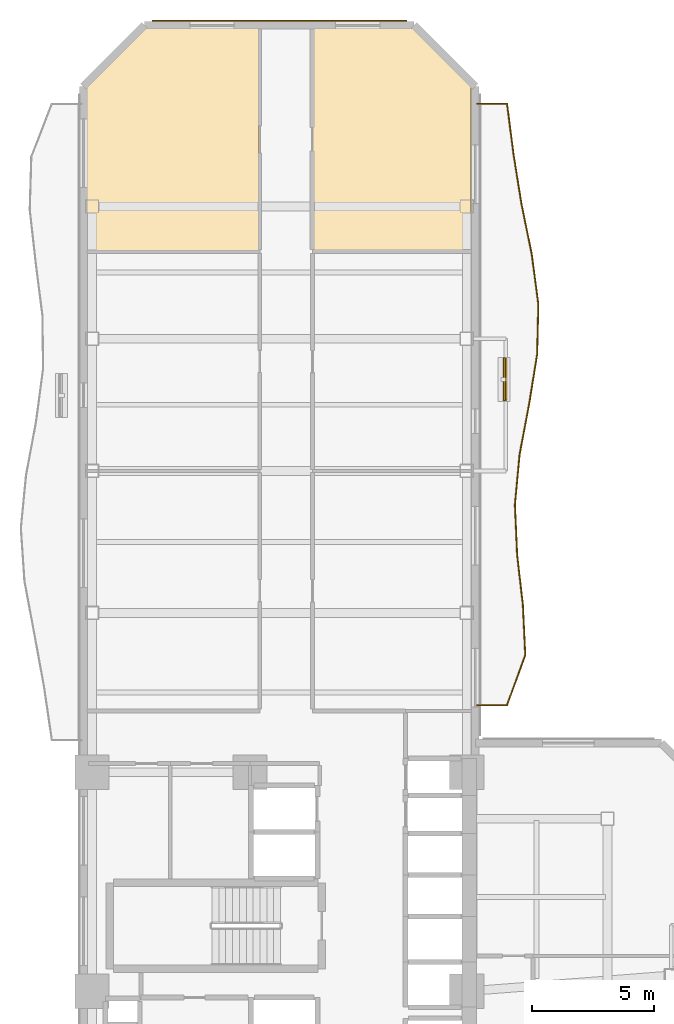
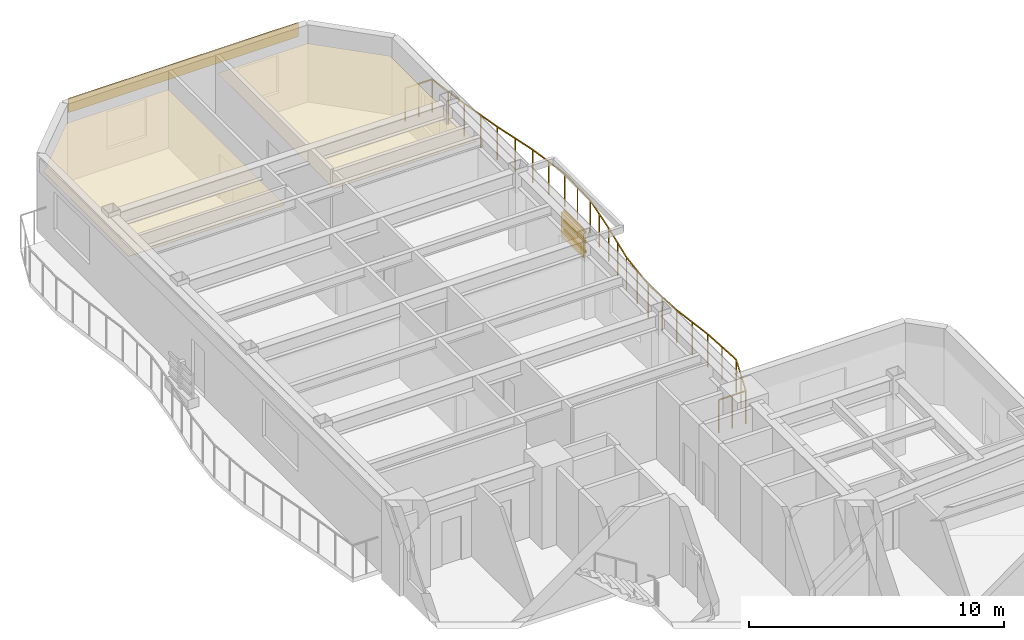
# One storey, part 17 of 17: 4 shading devices, 3 coverings, 1 railing.
"""IFC4 building model written with IfcOpenShell, lengths in metres."""

from ifc_helpers import new_model, si_unit, direction, frame, origin, origin_2d, place, context, subcontext, project, spatial, polyline, rectangle, outline, extrude, material, layer, layer_set, material_profile, profile_set, type_object, element, save


model = new_model("IFC4")

# Units and contexts
model_context = context("Model", 3, precision=1e-05, world=origin(), true_north=direction((0.0, 1.0)))
body_context = subcontext(model_context, "Body", "Model", "MODEL_VIEW")
ifc_project = project(units=[si_unit("LENGTHUNIT", "METRE"), si_unit("AREAUNIT", "SQUARE_METRE"), si_unit("VOLUMEUNIT", "CUBIC_METRE"), si_unit("PLANEANGLEUNIT", "RADIAN"), si_unit("MASSUNIT", "GRAM", prefix="KILO")], contexts=[model_context])

# Site, building, storey
site_placement = place(None, origin())
site = spatial("IfcSite", under=ifc_project, at=site_placement, CompositionType="ELEMENT")
building_placement = place(site_placement, origin())
building = spatial("IfcBuilding", under=site, at=building_placement, Name="Mawjaban Terraces University", CompositionType="ELEMENT")
storey_placement = place(building_placement, frame((0.0, 0.0, 85.60009765625)))
storey = spatial("IfcBuildingStorey", under=building, at=storey_placement, Name="L20", CompositionType="ELEMENT", Elevation=85.60009765625)

# Coverings
ifc_material_1 = material(Name="Acoustic mineral fibre ceiling tile", Category="masonry")
ifc_layer_1 = layer(ifc_material_1, 0.02001953125)
ifc_layer_set_1 = layer_set([ifc_layer_1], Name="Acoustic mineral fibre ceiling tile")
covering_type_1 = type_object("IfcCoveringType", Name="AcousticMineralCeiling_20", PredefinedType="CEILING", material=ifc_layer_set_1)
covering_1_placement = place(storey_placement, frame((0.0, 0.0, 2.75)))
element("IfcCovering", 1, at=covering_1_placement, inside=storey, type_object=covering_type_1, Name="L20 Teaching Laboratory 14 Acoustic Ceiling", PredefinedType="CEILING", context=body_context, shape_type="SweptSolid", body=[
    extrude(outline(polyline([(29.169921875, 53.885009765625), (24.547119140625, 53.885009765625), (22.114990234375, 51.452880859375), (22.114990234375, 44.7900390625), (29.169921875, 44.7900390625), (29.169921875, 53.885009765625)])), origin(), (0.0, 0.0, 1.0), 0.02001953125),
])
covering_2_placement = place(storey_placement, frame((0.0, 0.0, 2.75)))
element("IfcCovering", 2, at=covering_2_placement, inside=storey, type_object=covering_type_1, Name="L20 Design Studio 15 Acoustic Ceiling", PredefinedType="CEILING", context=body_context, shape_type="SweptSolid", body=[
    extrude(outline(polyline([(37.820068359375, 51.51806640625), (35.452880859375, 53.885009765625), (31.3798828125, 53.885009765625), (31.3798828125, 44.7900390625), (37.820068359375, 44.7900390625), (37.820068359375, 51.51806640625)])), origin(), (0.0, 0.0, 1.0), 0.02001953125),
])

# Railing
ifc_material_2 = material(Name="Galvanised powder-coated steel S355", Category="steel")
railing_type = type_object("IfcRailingType", Name="BalconyBalustrade_1600", PredefinedType="BALUSTRADE", material=ifc_material_2)
railing_placement = place(storey_placement, frame((38.080078125, 26.237060546875, 0.0)))
element("IfcRailing", 3, at=railing_placement, inside=storey, type_object=railing_type, Name="L20 Balcony Guardrail inner_east", PredefinedType="BALUSTRADE", context=body_context, shape_type="SweptSolid", body=[
    extrude(rectangle(XDim=0.048095703125, YDim=0.048095703125, at=origin_2d()), frame((0.0, 0.0, 1.576171875), z_axis=(1.0, 0.0, 0.0), x_axis=(0.0, 1.0, 0.0)), (0.0, 0.0, 1.0), 1.219970703125),
    extrude(rectangle(XDim=0.048095703125, YDim=0.048095703125, at=origin_2d()), frame((1.219970703125, 0.0, 1.576171875), z_axis=(0.341968039264, 0.939711583478, 0.0), x_axis=(-0.939711583478, 0.341968039264, 0.0)), (0.0, 0.0, 1.0), 2.17822265625),
    extrude(rectangle(XDim=0.048095703125, YDim=0.048095703125, at=origin_2d()), frame((1.96484375, 2.046875, 1.576171875), z_axis=(-0.047768899727, 0.998858414501, 0.0), x_axis=(-0.998858414501, -0.047768899727, 0.0)), (0.0, 0.0, 1.0), 2.049560546875),
    extrude(rectangle(XDim=0.048095703125, YDim=0.048095703125, at=origin_2d()), frame((1.866943359375, 4.093994140625, 1.576171875), z_axis=(-0.113643512159, 0.993521591182, 0.0), x_axis=(-0.993521591182, -0.113643512159, 0.0)), (0.0, 0.0, 1.0), 2.060302734375),
    extrude(rectangle(XDim=0.048095703125, YDim=0.048095703125, at=origin_2d()), frame((1.6328125, 6.140869140625, 1.576171875), z_axis=(-0.044321341141, 0.999017326536, 0.0), x_axis=(-0.999017326536, -0.044321341141, 0.0)), (0.0, 0.0, 1.0), 2.049072265625),
    extrude(rectangle(XDim=0.048095703125, YDim=0.048095703125, at=origin_2d()), frame((1.5419921875, 8.18798828125, 1.576171875), z_axis=(0.093340708693, 0.995634226059, 0.0), x_axis=(-0.995634226059, 0.093340708693, 0.0)), (0.0, 0.0, 1.0), 2.055908203125),
    extrude(rectangle(XDim=0.048095703125, YDim=0.048095703125, at=origin_2d()), frame((1.73388671875, 10.23486328125, 1.576171875), z_axis=(0.185371543551, 0.982668505062, 0.0), x_axis=(-0.982668505062, 0.185371543551, 0.0)), (0.0, 0.0, 1.0), 2.082275390625),
    extrude(rectangle(XDim=0.048095703125, YDim=0.048095703125, at=origin_2d()), frame((2.119873046875, 12.281005859375, 1.576171875), z_axis=(0.159202821223, 0.987245897289, 0.0), x_axis=(-0.987245897289, 0.159202821223, 0.0)), (0.0, 0.0, 1.0), 2.0732421875),
    extrude(rectangle(XDim=0.048095703125, YDim=0.048095703125, at=origin_2d()), frame((2.449951171875, 14.327880859375, 1.576171875), z_axis=(0.023368691152, 0.999726914849, 0.0), x_axis=(-0.999726914849, 0.023368691152, 0.0)), (0.0, 0.0, 1.0), 2.047607421875),
    extrude(rectangle(XDim=0.048095703125, YDim=0.048095703125, at=origin_2d()), frame((2.497802734375, 16.375, 1.576171875), z_axis=(-0.130668635289, 0.991426097978, 0.0), x_axis=(-0.991426097978, -0.130668635289, 0.0)), (0.0, 0.0, 1.0), 2.064697265625),
    extrude(rectangle(XDim=0.048095703125, YDim=0.048095703125, at=origin_2d()), frame((2.22802734375, 18.421875, 1.576171875), z_axis=(-0.20060777627, 0.979671638918, 0.0), x_axis=(-0.979671638918, -0.20060777627, 0.0)), (0.0, 0.0, 1.0), 2.089599609375),
    extrude(rectangle(XDim=0.048095703125, YDim=0.048095703125, at=origin_2d()), frame((1.808837890625, 20.468994140625, 1.576171875), z_axis=(-0.157710279835, 0.987485426543, 0.0), x_axis=(-0.987485426543, -0.157710279835, 0.0)), (0.0, 0.0, 1.0), 2.07275390625),
    extrude(rectangle(XDim=0.048095703125, YDim=0.048095703125, at=origin_2d()), frame((1.48193359375, 22.515869140625, 1.576171875), z_axis=(-0.12693154647, 0.991911479171, 0.0), x_axis=(-0.991911479171, -0.12693154647, 0.0)), (0.0, 0.0, 1.0), 2.063720703125),
    extrude(rectangle(XDim=0.048095703125, YDim=0.048095703125, at=origin_2d()), frame((1.219970703125, 24.56298828125, 1.576171875), z_axis=(-1.0, 0.0, 0.0), x_axis=(0.0, -1.0, 0.0)), (0.0, 0.0, 1.0), 1.219970703125),
    extrude(rectangle(XDim=0.0419921875, YDim=0.0419921875, at=origin_2d()), origin(), (0.0, 0.0, 1.0), 1.552001953125),
    extrude(rectangle(XDim=0.0419921875, YDim=0.0419921875, at=origin_2d()), frame((0.60986328125, 0.0, 0.0)), (0.0, 0.0, 1.0), 1.552001953125),
    extrude(rectangle(XDim=0.0419921875, YDim=0.0419921875, at=origin_2d()), frame((1.219970703125, 0.0, 0.0)), (0.0, 0.0, 1.0), 1.552001953125),
    extrude(rectangle(XDim=0.0419921875, YDim=0.0419921875, at=origin_2d()), frame((1.59228515625, 1.0234375, 0.0)), (0.0, 0.0, 1.0), 1.552001953125),
    extrude(rectangle(XDim=0.0419921875, YDim=0.0419921875, at=origin_2d()), frame((1.96484375, 2.046875, 0.0)), (0.0, 0.0, 1.0), 1.552001953125),
    extrude(rectangle(XDim=0.0419921875, YDim=0.0419921875, at=origin_2d()), frame((1.916015625, 3.0703125, 0.0)), (0.0, 0.0, 1.0), 1.552001953125),
    extrude(rectangle(XDim=0.0419921875, YDim=0.0419921875, at=origin_2d()), frame((1.866943359375, 4.093994140625, 0.0)), (0.0, 0.0, 1.0), 1.552001953125),
    extrude(rectangle(XDim=0.0419921875, YDim=0.0419921875, at=origin_2d()), frame((1.75, 5.117431640625, 0.0)), (0.0, 0.0, 1.0), 1.552001953125),
    extrude(rectangle(XDim=0.0419921875, YDim=0.0419921875, at=origin_2d()), frame((1.6328125, 6.140869140625, 0.0)), (0.0, 0.0, 1.0), 1.552001953125),
    extrude(rectangle(XDim=0.0419921875, YDim=0.0419921875, at=origin_2d()), frame((1.58740234375, 7.16455078125, 0.0)), (0.0, 0.0, 1.0), 1.552001953125),
    extrude(rectangle(XDim=0.0419921875, YDim=0.0419921875, at=origin_2d()), frame((1.5419921875, 8.18798828125, 0.0)), (0.0, 0.0, 1.0), 1.552001953125),
    extrude(rectangle(XDim=0.0419921875, YDim=0.0419921875, at=origin_2d()), frame((1.637939453125, 9.21142578125, 0.0)), (0.0, 0.0, 1.0), 1.552001953125),
    extrude(rectangle(XDim=0.0419921875, YDim=0.0419921875, at=origin_2d()), frame((1.73388671875, 10.23486328125, 0.0)), (0.0, 0.0, 1.0), 1.552001953125),
    extrude(rectangle(XDim=0.0419921875, YDim=0.0419921875, at=origin_2d()), frame((1.9267578125, 11.2578125, 0.0)), (0.0, 0.0, 1.0), 1.552001953125),
    extrude(rectangle(XDim=0.0419921875, YDim=0.0419921875, at=origin_2d()), frame((2.119873046875, 12.281005859375, 0.0)), (0.0, 0.0, 1.0), 1.552001953125),
    extrude(rectangle(XDim=0.0419921875, YDim=0.0419921875, at=origin_2d()), frame((2.284912109375, 13.304443359375, 0.0)), (0.0, 0.0, 1.0), 1.552001953125),
    extrude(rectangle(XDim=0.0419921875, YDim=0.0419921875, at=origin_2d()), frame((2.449951171875, 14.327880859375, 0.0)), (0.0, 0.0, 1.0), 1.552001953125),
    extrude(rectangle(XDim=0.0419921875, YDim=0.0419921875, at=origin_2d()), frame((2.473876953125, 15.3515625, 0.0)), (0.0, 0.0, 1.0), 1.552001953125),
    extrude(rectangle(XDim=0.0419921875, YDim=0.0419921875, at=origin_2d()), frame((2.497802734375, 16.375, 0.0)), (0.0, 0.0, 1.0), 1.552001953125),
    extrude(rectangle(XDim=0.0419921875, YDim=0.0419921875, at=origin_2d()), frame((2.36279296875, 17.3984375, 0.0)), (0.0, 0.0, 1.0), 1.552001953125),
    extrude(rectangle(XDim=0.0419921875, YDim=0.0419921875, at=origin_2d()), frame((2.22802734375, 18.421875, 0.0)), (0.0, 0.0, 1.0), 1.552001953125),
    extrude(rectangle(XDim=0.0419921875, YDim=0.0419921875, at=origin_2d()), frame((2.0185546875, 19.4453125, 0.0)), (0.0, 0.0, 1.0), 1.552001953125),
    extrude(rectangle(XDim=0.0419921875, YDim=0.0419921875, at=origin_2d()), frame((1.808837890625, 20.468994140625, 0.0)), (0.0, 0.0, 1.0), 1.552001953125),
    extrude(rectangle(XDim=0.0419921875, YDim=0.0419921875, at=origin_2d()), frame((1.6455078125, 21.492431640625, 0.0)), (0.0, 0.0, 1.0), 1.552001953125),
    extrude(rectangle(XDim=0.0419921875, YDim=0.0419921875, at=origin_2d()), frame((1.48193359375, 22.515869140625, 0.0)), (0.0, 0.0, 1.0), 1.552001953125),
    extrude(rectangle(XDim=0.0419921875, YDim=0.0419921875, at=origin_2d()), frame((1.35107421875, 23.53955078125, 0.0)), (0.0, 0.0, 1.0), 1.552001953125),
    extrude(rectangle(XDim=0.0419921875, YDim=0.0419921875, at=origin_2d()), frame((1.219970703125, 24.56298828125, 0.0)), (0.0, 0.0, 1.0), 1.552001953125),
    extrude(rectangle(XDim=0.0419921875, YDim=0.0419921875, at=origin_2d()), frame((0.60986328125, 24.56298828125, 0.0)), (0.0, 0.0, 1.0), 1.552001953125),
    extrude(rectangle(XDim=0.0419921875, YDim=0.0419921875, at=origin_2d()), frame((0.0, 24.56298828125, 0.0)), (0.0, 0.0, 1.0), 1.552001953125),
])

# Shading devices
ifc_material_3 = material(Name="Glazed architectural terracotta ceramic", Category="masonry")
ifc_material_profile = material_profile(ifc_material_3, rectangle(XDim=0.06494140625, YDim=0.110107421875, at=origin_2d()), Name="TBAG110X65")
ifc_profile_set = profile_set([ifc_material_profile], Name="Glazed architectural terracotta ceramic")
shading_device_type_1 = type_object("IfcShadingDeviceType", Name="TerracottaBaguette_110x65", PredefinedType="USERDEFINED", material=ifc_profile_set)
for number, where, z_axis, x_axis, name in (
    (4, (39.262939453125, 38.69091796875, 0.679931640625), (0.0, 1.0, 0.0), (-1.0, 0.0, 0.0), "L20 Horizontal Terracotta Baguette inner_east.1"),
    (5, (39.262939453125, 38.69091796875, 1.14990234375), (0.0, 1.0, 0.0), (-1.0, 0.0, 0.0), "L20 Horizontal Terracotta Baguette inner_east.2"),
    (6, (39.262939453125, 38.69091796875, 1.619873046875), (0.0, 1.0, 0.0), (-1.0, 0.0, 0.0), "L20 Horizontal Terracotta Baguette inner_east.3"),
):
    element("IfcShadingDevice", number, at=place(storey_placement, frame(where, z_axis=z_axis, x_axis=x_axis)), inside=storey, type_object=shading_device_type_1, Name=name, ObjectType="BAGUETTE", PredefinedType="USERDEFINED", context=body_context, shape_type="SweptSolid", body=[
        extrude(rectangle(XDim=0.06494140625, YDim=0.110107421875, at=origin_2d()), origin(), (0.0, 0.0, 1.0), 1.7001953125),
    ])
ifc_layer_2 = layer(ifc_material_3, 0.080078125)
ifc_layer_set_2 = layer_set([ifc_layer_2], Name="Glazed architectural terracotta ceramic")
shading_device_type_2 = type_object("IfcShadingDeviceType", Name="TerracottaScreen_Perforated", PredefinedType="USERDEFINED", material=ifc_layer_set_2)
shading_device_placement = place(storey_placement, frame((39.177978515625, 39.541015625, 0.43994140625), z_axis=(0.0, 0.0, 1.0), x_axis=(0.0, 1.0, 0.0)))
element("IfcShadingDevice", 7, at=shading_device_placement, inside=storey, type_object=shading_device_type_2, Name="L20 Balcony Perforated Terracotta Screen inner_east", ObjectType="SCREEN", PredefinedType="USERDEFINED", context=body_context, shape_type="SweptSolid", body=[
    extrude(rectangle(XDim=1.75, YDim=0.080078125, at=origin_2d()), origin(), (0.0, 0.0, 1.0), 1.14990234375),
])

# Covering
ifc_material_4 = material(Name="Glazed architectural terracotta rainscreen", Category="masonry")
ifc_layer_3 = layer(ifc_material_4, 0.06005859375)
ifc_layer_set_3 = layer_set([ifc_layer_3], Name="Glazed architectural terracotta rainscreen")
covering_type_2 = type_object("IfcCoveringType", Name="TerracottaSpandrelCladding_60", PredefinedType="CLADDING", material=ifc_layer_set_3)
covering_3_placement = place(storey_placement, frame((30.0, 54.18505859375, 3.014892578125), z_axis=(0.0, 0.0, 1.0), x_axis=(-1.0, 0.0, 0.0)))
element("IfcCovering", 8, at=covering_3_placement, inside=storey, type_object=covering_type_2, Name="L20 Terracotta Spandrel Cladding 11", PredefinedType="CLADDING", context=body_context, shape_type="SweptSolid", body=[
    extrude(rectangle(XDim=10.39990234375, YDim=0.06005859375, at=origin_2d()), origin(), (0.0, 0.0, 1.0), 0.64990234375),
])

save(model, "model.ifc")
